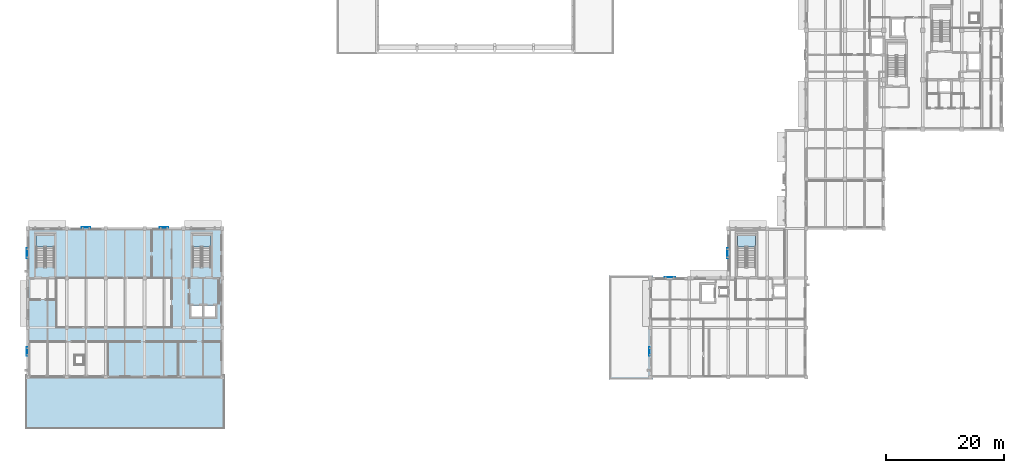
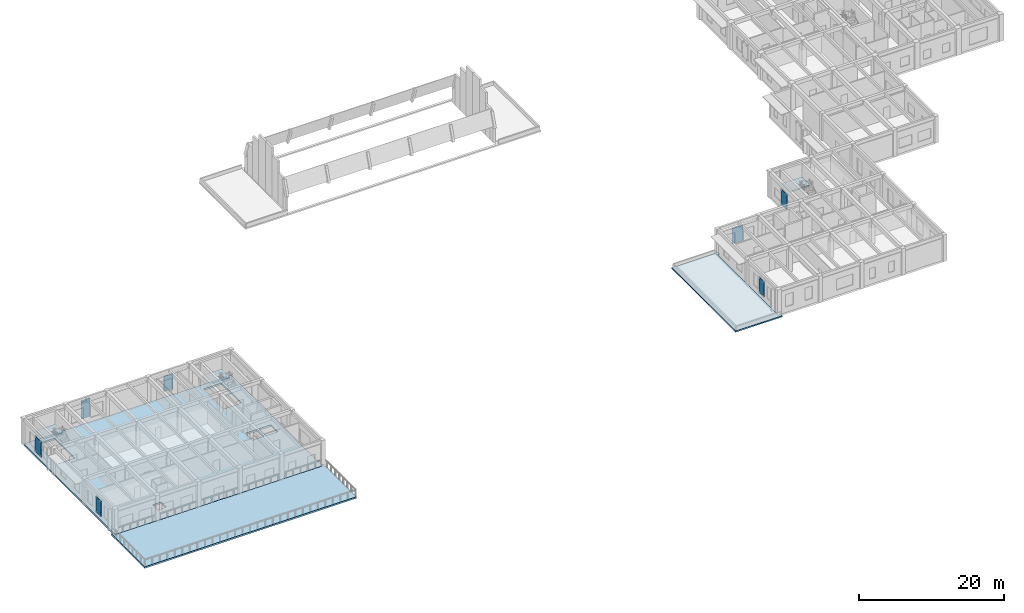
# One storey, part 3 of 25: 7 plates, 6 slabs, 3 elements without a shape of their own.
"""IFC4 building model written with IfcOpenShell, lengths in metres."""

import ifcopenshell
import ifcopenshell.guid

model = None  # the IFC model being written
_history = None  # IfcOwnerHistory: only IFC2X3 demands one
_inside = {}  # id of a spatial element -> (the spatial element, [elements in it])
_under = {}  # id of a project, library or spatial element -> (it, [spatial elements below it])
_declared = {}  # id of a project -> (the project, [libraries it declares])
_typed = {}  # id of a type object -> (the type object, [elements of that type])
_made_of = {}  # id of a material, layer set ... -> (it, [elements and type objects made of it])


def new_model(schema):
    """Start an empty IFC model of exactly this schema.

    Asked for "IFC4X3", IfcOpenShell would pick the latest addendum, in which some entities
    have other attributes; the version numbers below select the first issue.
    IFC2X3 requires an IfcOwnerHistory on every rooted entity: one is made here for all.
    """
    global model, _history
    if schema == "IFC4X3":
        model = ifcopenshell.file(schema_version=(4, 3, 0, 0))
    else:
        model = ifcopenshell.file(schema=schema)
    _inside.clear()
    _under.clear()
    _declared.clear()
    _typed.clear()
    _made_of.clear()
    _history = None
    if model.schema == "IFC2X3":
        org = make("IfcOrganization", Name="unknown")
        user = make(
            "IfcPersonAndOrganization",
            ThePerson=make("IfcPerson", FamilyName="unknown"),
            TheOrganization=org,
        )
        app = make(
            "IfcApplication",
            ApplicationDeveloper=org,
            Version="unknown",
            ApplicationFullName="unknown",
            ApplicationIdentifier="unknown",
        )
        _history = make(
            "IfcOwnerHistory",
            OwningUser=user,
            OwningApplication=app,
            ChangeAction="ADDED",
            CreationDate=0,
        )
    return model


def make(cls, **values):
    """One entity of the class cls with the attributes given. An attribute that is None is left unset."""
    return model.create_entity(
        cls, **{name: value for name, value in values.items() if value is not None}
    )


def rooted(cls, **values):
    """An entity with a GlobalId (a new one), such as an element, a storey or a relation."""
    return make(cls, GlobalId=ifcopenshell.guid.new(), OwnerHistory=_history, **values)


def si_unit(unit_type, name, prefix=None):
    """IfcSIUnit, for example si_unit("LENGTHUNIT", "METRE", prefix="MILLI")."""
    return make("IfcSIUnit", UnitType=unit_type, Prefix=prefix, Name=name)


def assignment(units):
    """IfcUnitAssignment: the units of a project."""
    return None if units is None else make("IfcUnitAssignment", Units=units)


def point(xyz):
    """IfcCartesianPoint."""
    return None if xyz is None else make("IfcCartesianPoint", Coordinates=xyz)


def direction(xyz):
    """IfcDirection."""
    return None if xyz is None else make("IfcDirection", DirectionRatios=xyz)


def frame(location, z_axis=None, x_axis=None):
    """IfcAxis2Placement3D, a coordinate frame: its origin and axes. An axis left out is left unset."""
    return make(
        "IfcAxis2Placement3D",
        Location=point(location),
        Axis=direction(z_axis),
        RefDirection=direction(x_axis),
    )


def frame_2d(location, x_axis=None):
    """IfcAxis2Placement2D, a coordinate frame in the plane: its origin and x axis."""
    return make(
        "IfcAxis2Placement2D", Location=point(location), RefDirection=direction(x_axis)
    )


def origin():
    """The frame at (0, 0, 0) with its axes left unset."""
    return frame((0.0, 0.0, 0.0))


def origin_2d():
    """The frame at (0, 0) in the plane with its x axis left unset."""
    return frame_2d((0.0, 0.0))


def place(relative_to, where):
    """IfcLocalPlacement: puts the frame where relative to a parent placement (None: the world)."""
    return make(
        "IfcLocalPlacement", PlacementRelTo=relative_to, RelativePlacement=where
    )


def context(
    kind, dimensions, precision=None, world=None, true_north=None, identifier=None
):
    """IfcGeometricRepresentationContext, for example the 3D "Model" context."""
    return make(
        "IfcGeometricRepresentationContext",
        ContextIdentifier=identifier,
        ContextType=kind,
        CoordinateSpaceDimension=dimensions,
        Precision=precision,
        WorldCoordinateSystem=world,
        TrueNorth=true_north,
    )


def subcontext(parent, identifier, kind, view, scale=None):
    """IfcGeometricRepresentationSubContext, for example "Body" below "Model"."""
    return make(
        "IfcGeometricRepresentationSubContext",
        ContextIdentifier=identifier,
        ContextType=kind,
        ParentContext=parent,
        TargetScale=scale,
        TargetView=view,
    )


def project(units=None, contexts=None):
    """IfcProject with its units and contexts."""
    return rooted(
        "IfcProject",
        Name="project",
        RepresentationContexts=contexts,
        UnitsInContext=assignment(units),
    )


def spatial(cls, under=None, at=None, **own):
    """A site, building, storey or space (cls), placed at a placement, below another one or the project."""
    s = rooted(cls, ObjectPlacement=at, **own)
    if under is not None:
        _under.setdefault(under.id(), (under, []))[1].append(s)
    return s


def polyline(points):
    """IfcPolyline through the points."""
    return make("IfcPolyline", Points=[point(p) for p in points])


def profile(cls, at=None, kind="AREA", **sizes):
    """A parametric profile (cls). Its sizes go by their IFC names, for example OverallWidth=200.0."""
    return make(cls, ProfileType=kind, Position=at, **sizes)


def rectangle(**sizes):
    """IfcRectangleProfileDef."""
    return profile("IfcRectangleProfileDef", **sizes)


def outline(outer, holes=None, kind="AREA"):
    """IfcArbitraryClosedProfileDef: a profile drawn as a closed curve; with holes, ...WithVoids."""
    if holes is None:
        return make("IfcArbitraryClosedProfileDef", ProfileType=kind, OuterCurve=outer)
    return make(
        "IfcArbitraryProfileDefWithVoids",
        ProfileType=kind,
        OuterCurve=outer,
        InnerCurves=holes,
    )


def extrude(swept, where, along, depth):
    """IfcExtrudedAreaSolid: the profile swept, set in the frame where, extruded along a direction by depth."""
    return make(
        "IfcExtrudedAreaSolid",
        SweptArea=swept,
        Position=where,
        ExtrudedDirection=direction(along),
        Depth=depth,
    )


def shape(context_of_items, identifier, shape_type, items):
    """IfcShapeRepresentation: the items that make up one representation, for example the "Body"."""
    return make(
        "IfcShapeRepresentation",
        ContextOfItems=context_of_items,
        RepresentationIdentifier=identifier,
        RepresentationType=shape_type,
        Items=items,
    )


def material(Name=None, Category=None):
    """IfcMaterial."""
    return make("IfcMaterial", Name=Name, Category=Category)


def layer(
    of_material, thickness, ventilated=None, Name=None, Category=None, Priority=None
):
    """IfcMaterialLayer: one layer of a wall or slab, of a material (None: an air gap)."""
    return make(
        "IfcMaterialLayer",
        Material=of_material,
        LayerThickness=thickness,
        IsVentilated=ventilated,
        Name=Name,
        Category=Category,
        Priority=Priority,
    )


def layer_set(layers, Name=None):
    """IfcMaterialLayerSet."""
    return make("IfcMaterialLayerSet", MaterialLayers=layers, LayerSetName=Name)


def made_of(thing, what):
    """Note that an element or type object is made of a material, layer set ...; save() writes the relation."""
    if what is not None:
        _made_of.setdefault(what.id(), (what, []))[1].append(thing)
    return thing


def type_object(cls, material=None, **own):
    """A type object (cls), such as IfcWallType, which elements share."""
    return made_of(rooted(cls, **own), material)


def element(
    cls,
    number,
    at=None,
    inside=None,
    cuts=None,
    type_object=None,
    material=None,
    context=None,
    identifier="Body",
    shape_type=None,
    held_by="IfcProductDefinitionShape",
    body=None,
    shapes=None,
    **own,
):
    """One element of the class cls, such as IfcWall. Its Tag is "e" and its number.

    at: its placement. inside: the storey or other place that contains it. cuts: it is an
    opening in that element (IfcRelVoidsElement). A single representation is given by context,
    identifier, shape_type and body (its items); several are given by shapes. held_by: the class
    of the entity that holds the representations. save() writes the other relations.
    """
    e = rooted(cls, Tag="e%d" % number, ObjectPlacement=at, **own)
    if body is not None:
        shapes = [shape(context, identifier, shape_type, body)]
    if shapes is not None:
        e.Representation = make(held_by, Representations=shapes)
    if inside is not None:
        _inside.setdefault(inside.id(), (inside, []))[1].append(e)
    if cuts is not None:
        rooted(
            "IfcRelVoidsElement", RelatingBuildingElement=cuts, RelatedOpeningElement=e
        )
    if type_object is not None:
        _typed.setdefault(type_object.id(), (type_object, []))[1].append(e)
    return made_of(e, material)


def aggregate(whole, parts):
    """IfcRelAggregates: a whole, such as a stair, and the parts it consists of."""
    return rooted("IfcRelAggregates", RelatingObject=whole, RelatedObjects=parts)


def save(model, path):
    """Write the relations noted so far, then the file.

    IfcRelAggregates (storeys below a building ...), IfcRelContainedInSpatialStructure (elements
    in a storey), IfcRelDefinesByType, IfcRelAssociatesMaterial and IfcRelDeclares: one each for
    every whole, place, type object, material and project.
    """
    for whole, parts in _under.values():
        aggregate(whole, parts)
    for where, things in _inside.values():
        rooted(
            "IfcRelContainedInSpatialStructure",
            RelatedElements=things,
            RelatingStructure=where,
        )
    for kind, things in _typed.values():
        rooted("IfcRelDefinesByType", RelatedObjects=things, RelatingType=kind)
    for what, things in _made_of.values():
        rooted("IfcRelAssociatesMaterial", RelatedObjects=things, RelatingMaterial=what)
    for by, libraries in _declared.values():
        rooted("IfcRelDeclares", RelatingContext=by, RelatedDefinitions=libraries)
    model.write(path)


model = new_model("IFC4")

# Units and contexts
model_context = context("Model", 3, precision=1e-05, world=origin(), true_north=direction((0.0, 1.0)))
body_context = subcontext(model_context, "Body", "Model", "MODEL_VIEW")
ifc_project = project(units=[si_unit("LENGTHUNIT", "METRE"), si_unit("AREAUNIT", "SQUARE_METRE"), si_unit("VOLUMEUNIT", "CUBIC_METRE"), si_unit("PLANEANGLEUNIT", "RADIAN"), si_unit("MASSUNIT", "GRAM", prefix="KILO")], contexts=[model_context])

# Site, building, storey
site_placement = place(None, origin())
site = spatial("IfcSite", under=ifc_project, at=site_placement, CompositionType="ELEMENT")
building_placement = place(site_placement, origin())
building = spatial("IfcBuilding", under=site, at=building_placement, Name="Kolvaren Faculty of Natural Sciences", CompositionType="ELEMENT")
storey_placement = place(building_placement, frame((0.0, 0.0, 19.5)))
storey = spatial("IfcBuildingStorey", under=building, at=storey_placement, Name="L04", CompositionType="ELEMENT", Elevation=19.5)

# Plates
ifc_material_1 = material(Name="Extruded architectural terracotta screen", Category="masonry")
ifc_layer_1 = layer(ifc_material_1, 0.06494140625)
ifc_layer_set_1 = layer_set([ifc_layer_1], Name="Extruded architectural terracotta screen")
plate_type_1 = type_object("IfcPlateType", Name="EnvelopePlate_JL01", PredefinedType="USERDEFINED", material=ifc_layer_set_1)
for number, where, z_axis, x_axis, name in (
    (1, (6.659912109375, 21.35009765625, 0.849853515625), (0.0, 0.0, 1.0), (0.0, 1.0, 0.0), "L04 perforated terracotta jali sun screen JL-01"),
    (2, (29.89990234375, 42.340087890625, 0.849853515625), (0.0, 0.0, 1.0), (1.0, 0.0, 0.0), "L04 perforated terracotta jali sun screen JL-01"),
    (3, (112.260009765625, 21.35009765625, 0.849853515625), (0.0, 0.0, 1.0), (0.0, 1.0, 0.0), "L04 perforated terracotta jali sun screen JL-01"),
):
    element("IfcPlate", number, at=place(storey_placement, frame(where, z_axis=z_axis, x_axis=x_axis)), inside=storey, type_object=plate_type_1, Name=name, ObjectType="SCREEN", PredefinedType="USERDEFINED", context=body_context, shape_type="SweptSolid", body=[
        extrude(rectangle(XDim=1.449951171875, YDim=0.06494140625, at=origin_2d()), origin(), (0.0, 0.0, 1.0), 2.60009765625),
    ])
ifc_layer_2 = layer(ifc_material_1, 0.06494140625)
ifc_layer_set_2 = layer_set([ifc_layer_2], Name="Extruded architectural terracotta screen")
plate_type_2 = type_object("IfcPlateType", Name="EnvelopePlate_JL02", PredefinedType="USERDEFINED", material=ifc_layer_set_2)
for number, where, z_axis, x_axis, name in (
    (4, (6.659912109375, 38.0, 0.849853515625), (0.0, 0.0, 1.0), (0.0, 1.0, 0.0), "L04 perforated terracotta jali sun screen JL-02"),
    (5, (125.4599609375, 38.0, 0.849853515625), (0.0, 0.0, 1.0), (0.0, 1.0, 0.0), "L04 perforated terracotta jali sun screen JL-02"),
    (6, (115.699951171875, 33.93994140625, 0.849853515625), (0.0, 0.0, 1.0), (1.0, 0.0, 0.0), "L04 perforated terracotta jali sun screen JL-02"),
):
    element("IfcPlate", number, at=place(storey_placement, frame(where, z_axis=z_axis, x_axis=x_axis)), inside=storey, type_object=plate_type_2, Name=name, ObjectType="SCREEN", PredefinedType="USERDEFINED", context=body_context, shape_type="SweptSolid", body=[
        extrude(rectangle(XDim=1.75, YDim=0.06494140625, at=origin_2d()), origin(), (0.0, 0.0, 1.0), 2.60009765625),
    ])
ifc_layer_3 = layer(ifc_material_1, 0.06494140625)
ifc_layer_set_3 = layer_set([ifc_layer_3], Name="Extruded architectural terracotta screen")
plate_type_3 = type_object("IfcPlateType", Name="EnvelopePlate_JL03", PredefinedType="USERDEFINED", material=ifc_layer_set_3)
plate_placement = place(storey_placement, frame((16.699951171875, 42.340087890625, 0.849853515625), z_axis=(0.0, 0.0, 1.0), x_axis=(1.0, 0.0, 0.0)))
element("IfcPlate", 7, at=plate_placement, inside=storey, type_object=plate_type_3, Name="L04 perforated terracotta jali sun screen JL-03", ObjectType="SCREEN", PredefinedType="USERDEFINED", context=body_context, shape_type="SweptSolid", body=[
    extrude(rectangle(XDim=1.449951171875, YDim=0.06494140625, at=origin_2d()), origin(), (0.0, 0.0, 1.0), 3.10009765625),
])

# Slabs
ifc_material_2 = material(Name="Concrete C35/45", Category="concrete")
ifc_layer_4 = layer(ifc_material_2, 0.219970703125)
ifc_layer_set_4 = layer_set([ifc_layer_4], Name="Concrete C35/45")
slab_type_1 = type_object("IfcSlabType", Name="FlatWingRoofSlab_220", PredefinedType="ROOF", material=ifc_layer_set_4)
slab_1_placement = place(storey_placement, frame((0.0, 0.0, -0.219970703125)))
element("IfcSlab", 8, at=slab_1_placement, inside=storey, type_object=slab_type_1, Name="L04 flat reinforced concrete roof slab 1", PredefinedType="ROOF", context=body_context, shape_type="SweptSolid", body=[
    extrude(outline(polyline([(112.39794921875, 33.81982421875), (112.39599609375, 33.819580078125), (112.394287109375, 33.819091796875), (112.392333984375, 33.818603515625), (112.390625, 33.817626953125), (112.388916015625, 33.816650390625), (112.38720703125, 33.8154296875), (112.385986328125, 33.814208984375), (112.384521484375, 33.812744140625), (112.38330078125, 33.81103515625), (112.38232421875, 33.809326171875), (112.381591796875, 33.8076171875), (112.380859375, 33.805908203125), (112.38037109375, 33.803955078125), (112.380126953125, 33.802001953125), (112.3798828125, 33.800048828125), (112.3798828125, 17.0), (112.380126953125, 16.998046875), (112.38037109375, 16.99609375), (112.380859375, 16.994140625), (112.381591796875, 16.9921875), (112.38232421875, 16.990478515625), (112.38330078125, 16.989013671875), (112.384521484375, 16.9873046875), (112.385986328125, 16.98583984375), (112.38720703125, 16.984619140625), (112.388916015625, 16.9833984375), (112.390625, 16.982421875), (112.392333984375, 16.9814453125), (112.394287109375, 16.98095703125), (112.39599609375, 16.98046875), (112.39794921875, 16.97998046875), (112.39990234375, 16.97998046875), (112.780029296875, 16.97998046875), (112.780029296875, 16.570068359375), (105.3701171875, 16.570068359375), (105.3701171875, 34.22998046875), (112.780029296875, 34.22998046875), (112.780029296875, 33.820068359375), (112.39990234375, 33.820068359375), (112.39794921875, 33.81982421875)])), origin(), (0.0, 0.0, 1.0), 0.219970703125),
])
ifc_layer_5 = layer(ifc_material_2, 0.300048828125)
ifc_layer_set_5 = layer_set([ifc_layer_5], Name="Concrete C35/45")
slab_type_2 = type_object("IfcSlabType", Name="LabFloorSlab_300", PredefinedType="FLOOR", material=ifc_layer_set_5)
slab_2_placement = place(storey_placement, frame((0.0, 0.0, -0.300048828125)))
element("IfcSlab", 9, at=slab_2_placement, inside=storey, type_object=slab_type_2, Name="L04 V4 structural slab 1", PredefinedType="FLOOR", context=body_context, shape_type="SweptSolid", body=[
    extrude(outline(polyline([(6.800048828125, 17.0), (6.800048828125, 33.800048828125), (6.800048828125, 42.199951171875), (39.800048828125, 42.199951171875), (39.800048828125, 33.800048828125), (39.800048828125, 17.0), (6.800048828125, 17.0)]), holes=[polyline([(38.60009765625, 29.10009765625), (36.699951171875, 29.10009765625), (36.699951171875, 27.199951171875), (38.60009765625, 27.199951171875), (38.60009765625, 29.10009765625)]), polyline([(37.72998046875, 41.22998046875), (34.8701171875, 41.22998046875), (34.8701171875, 35.669921875), (37.72998046875, 35.669921875), (37.72998046875, 41.22998046875)]), polyline([(36.39990234375, 29.10009765625), (34.5, 29.10009765625), (34.5, 27.199951171875), (36.39990234375, 27.199951171875), (36.39990234375, 29.10009765625)]), polyline([(14.800048828125, 20.60009765625), (14.800048828125, 19.199951171875), (16.199951171875, 19.199951171875), (16.199951171875, 20.60009765625), (14.800048828125, 20.60009765625)]), polyline([(11.179931640625, 41.22998046875), (8.320068359375, 41.22998046875), (8.320068359375, 35.669921875), (11.179931640625, 35.669921875), (11.179931640625, 41.22998046875)])]), origin(), (0.0, 0.0, 1.0), 0.300048828125),
])
ifc_layer_6 = layer(ifc_material_2, 0.27001953125)
ifc_layer_set_6 = layer_set([ifc_layer_6], Name="Concrete C35/45")
slab_type_3 = type_object("IfcSlabType", Name="PlantedTerraceSlab_270", PredefinedType="FLOOR", material=ifc_layer_set_6)
slab_3_placement = place(storey_placement, frame((0.0, 0.0, -0.27001953125)))
element("IfcSlab", 10, at=slab_3_placement, inside=storey, type_object=slab_type_3, Name="West Laboratory South Garden Roof Terrace", PredefinedType="FLOOR", context=body_context, shape_type="SweptSolid", body=[
    extrude(outline(polyline([(6.419921875, 8.219970703125), (6.419921875, 17.3798828125), (6.7900390625, 17.3798828125), (6.7900390625, 17.0), (6.7900390625, 16.9990234375), (6.790283203125, 16.998046875), (6.790283203125, 16.9970703125), (6.790771484375, 16.99609375), (6.791259765625, 16.995361328125), (6.791748046875, 16.994384765625), (6.792236328125, 16.99365234375), (6.79296875, 16.992919921875), (6.793701171875, 16.9921875), (6.79443359375, 16.99169921875), (6.79541015625, 16.9912109375), (6.796142578125, 16.99072265625), (6.797119140625, 16.990478515625), (6.798095703125, 16.990234375), (6.799072265625, 16.989990234375), (6.800048828125, 16.989990234375), (39.800048828125, 16.989990234375), (39.801025390625, 16.989990234375), (39.802001953125, 16.990234375), (39.802978515625, 16.990478515625), (39.8037109375, 16.99072265625), (39.8046875, 16.9912109375), (39.8056640625, 16.99169921875), (39.806396484375, 16.9921875), (39.80712890625, 16.992919921875), (39.8076171875, 16.99365234375), (39.808349609375, 16.994384765625), (39.808837890625, 16.995361328125), (39.80908203125, 16.99609375), (39.8095703125, 16.9970703125), (39.809814453125, 16.998046875), (39.81005859375, 16.9990234375), (39.81005859375, 17.0), (39.81005859375, 17.3798828125), (40.179931640625, 17.3798828125), (40.179931640625, 8.219970703125), (6.419921875, 8.219970703125)])), origin(), (0.0, 0.0, 1.0), 0.27001953125),
])

# Stair, slab
stair_type = type_object("IfcStairType", Name="DoglegStair_H4500", PredefinedType="HALF_TURN_STAIR", material=ifc_material_2)
stair_1_placement = place(storey_placement, origin())
stair_1 = element("IfcStair", 11, at=stair_1_placement, inside=storey, type_object=stair_type, Name="L04 Protected exit stair ST-3", PredefinedType="HALF_TURN_STAIR")
ifc_layer_7 = layer(ifc_material_2, 0.199951171875)
ifc_layer_set_7 = layer_set([ifc_layer_7], Name="Concrete C35/45")
slab_type_4 = type_object("IfcSlabType", Name="StairLandingSlab_200", PredefinedType="LANDING", material=ifc_layer_set_7)
slab_4_placement = place(storey_placement, frame((0.0, 0.0, 2.050048828125)))
slab_4 = element("IfcSlab", 12, at=slab_4_placement, type_object=slab_type_4, Name="ST-3 landing 1", PredefinedType="LANDING", context=body_context, shape_type="SweptSolid", body=[
    extrude(outline(polyline([(130.25, 39.090087890625), (130.25, 41.35009765625), (127.14990234375, 41.35009765625), (127.14990234375, 39.090087890625), (130.25, 39.090087890625)])), origin(), (0.0, 0.0, 1.0), 0.199951171875),
])
aggregate(stair_1, [slab_4])

stair_2_placement = place(storey_placement, origin())
stair_2 = element("IfcStair", 13, at=stair_2_placement, inside=storey, type_object=stair_type, Name="L04 Protected exit stair ST-4", PredefinedType="HALF_TURN_STAIR")
slab_5_placement = place(storey_placement, frame((0.0, 0.0, 2.050048828125)))
slab_5 = element("IfcSlab", 14, at=slab_5_placement, type_object=slab_type_4, Name="ST-4 landing 1", PredefinedType="LANDING", context=body_context, shape_type="SweptSolid", body=[
    extrude(outline(polyline([(37.85009765625, 39.090087890625), (37.85009765625, 41.35009765625), (34.75, 41.35009765625), (34.75, 39.090087890625), (37.85009765625, 39.090087890625)])), origin(), (0.0, 0.0, 1.0), 0.199951171875),
])
aggregate(stair_2, [slab_5])

stair_3_placement = place(storey_placement, origin())
stair_3 = element("IfcStair", 15, at=stair_3_placement, inside=storey, type_object=stair_type, Name="L04 Protected exit stair ST-8", PredefinedType="HALF_TURN_STAIR")
slab_6_placement = place(storey_placement, frame((0.0, 0.0, 2.050048828125)))
slab_6 = element("IfcSlab", 16, at=slab_6_placement, type_object=slab_type_4, Name="ST-8 landing 1", PredefinedType="LANDING", context=body_context, shape_type="SweptSolid", body=[
    extrude(outline(polyline([(11.300048828125, 39.090087890625), (11.300048828125, 41.35009765625), (8.199951171875, 41.35009765625), (8.199951171875, 39.090087890625), (11.300048828125, 39.090087890625)])), origin(), (0.0, 0.0, 1.0), 0.199951171875),
])
aggregate(stair_3, [slab_6])

save(model, "model.ifc")
